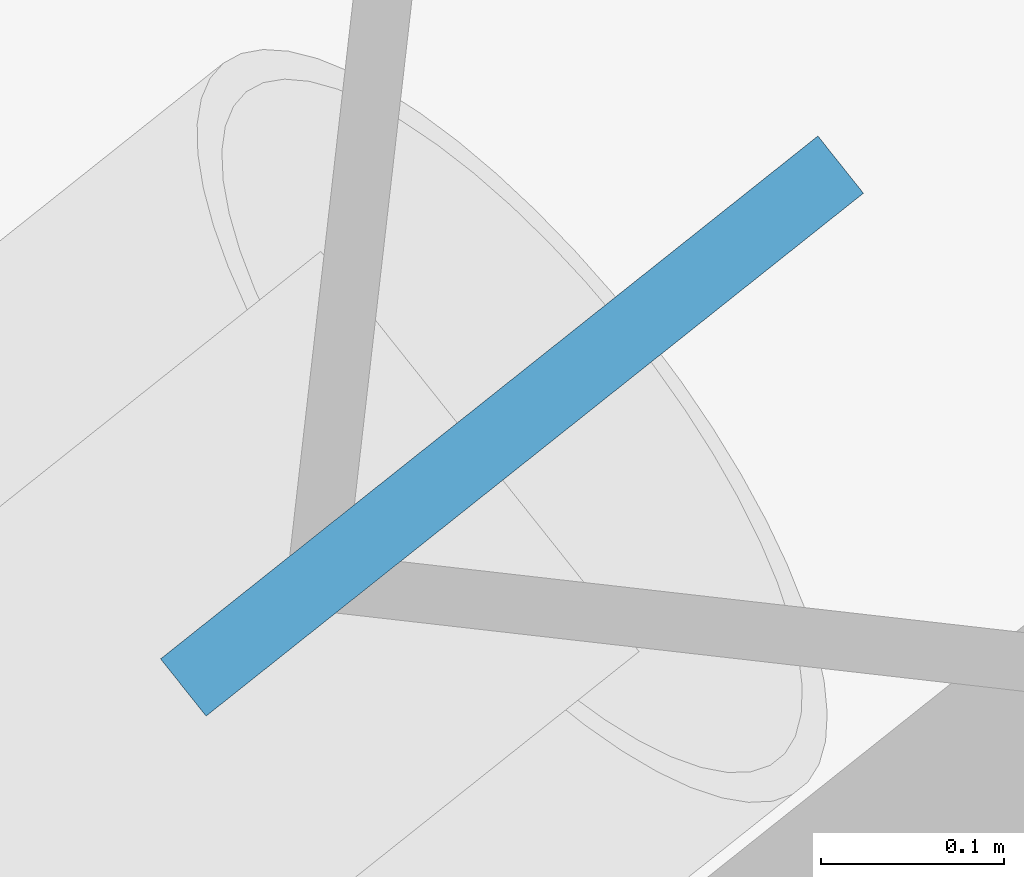
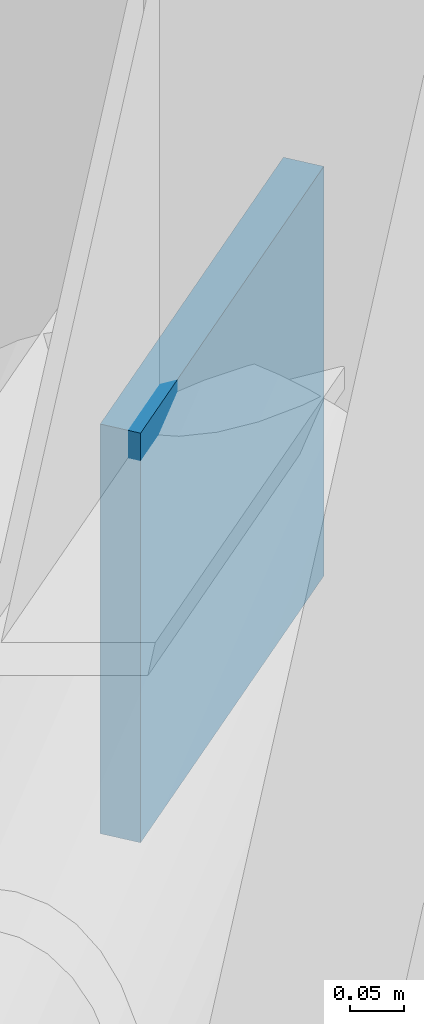
# One storey, part 17 of 20: 1 discrete accessory.
"""IFC4 building model written with IfcOpenShell, lengths in metres."""

from ifc_helpers import new_model, si_unit, direction, frame, origin, origin_2d, place, context, subcontext, project, spatial, rectangle, extrude, material, type_object, element, save


model = new_model("IFC4")

# Units and contexts
model_context = context("Model", 3, precision=1e-05, world=origin(), true_north=direction((0.0, 1.0)))
body_context = subcontext(model_context, "Body", "Model", "MODEL_VIEW")
ifc_project = project(units=[si_unit("LENGTHUNIT", "METRE"), si_unit("AREAUNIT", "SQUARE_METRE"), si_unit("VOLUMEUNIT", "CUBIC_METRE"), si_unit("PLANEANGLEUNIT", "RADIAN"), si_unit("MASSUNIT", "GRAM", prefix="KILO")], contexts=[model_context])

# Site, building, storey
site_placement = place(None, origin())
site = spatial("IfcSite", under=ifc_project, at=site_placement, CompositionType="ELEMENT")
building_placement = place(site_placement, origin())
building = spatial("IfcBuilding", under=site, at=building_placement, Name="Tavrogorsk Clinical Tower", CompositionType="ELEMENT")
storey_placement = place(building_placement, frame((0.0, 0.0, 105.39990234375)))
storey = spatial("IfcBuildingStorey", under=building, at=storey_placement, Name="L23", CompositionType="ELEMENT", Elevation=105.39990234375)

# Discrete accessory
ifc_material = material(Name="Structural steel S440", Category="steel")
discrete_accessory_type = type_object("IfcDiscreteAccessoryType", Name="GussetPlateBracket_25", PredefinedType="BRACKET", material=ifc_material)
discrete_accessory_placement = place(storey_placement, frame((-27.045654296875, 25.592041015625, 2.68505859375), z_axis=(0.0, 0.0, 1.0), x_axis=(0.782608156852, 0.622514636638, 0.0)))
element("IfcDiscreteAccessory", 1, at=discrete_accessory_placement, inside=storey, type_object=discrete_accessory_type, Name="L23 Brace Gusset Plate EXOCRN-L23-3-B", PredefinedType="BRACKET", context=body_context, shape_type="SweptSolid", body=[
    extrude(rectangle(XDim=0.4599609375, YDim=0.0400390625, at=origin_2d()), origin(), (0.0, 0.0, 1.0), 0.4599609375),
])

save(model, "model.ifc")
